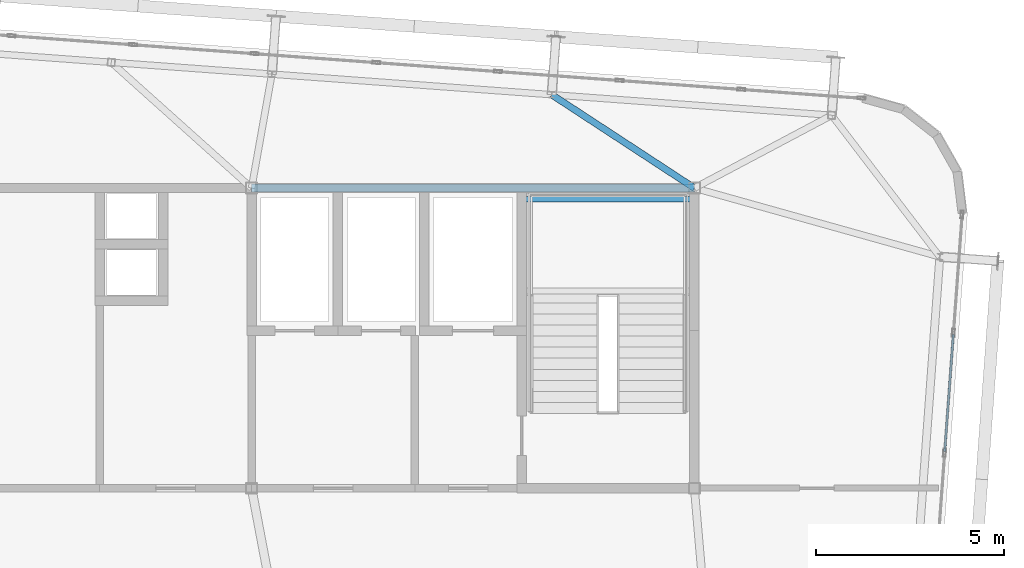
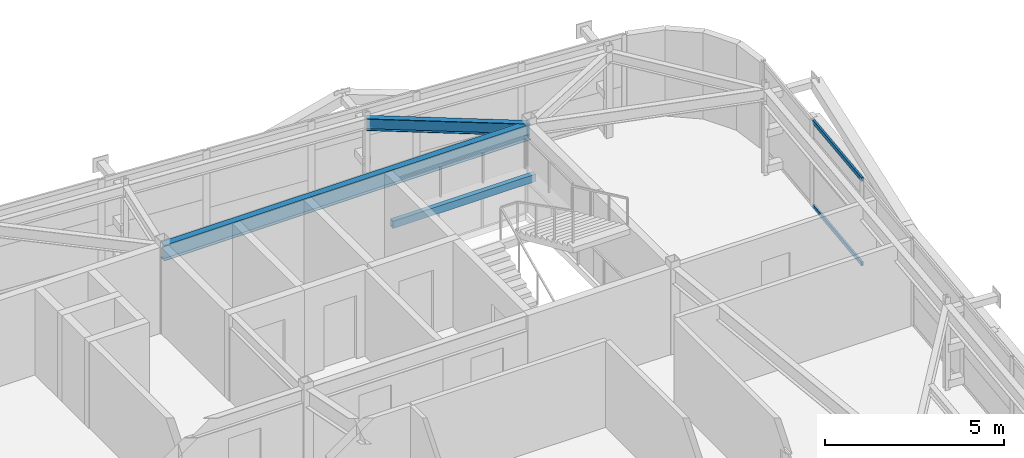
# One storey, part 24 of 42: 3 beams, 2 members, 1 element without a shape of its own.
"""IFC4 building model written with IfcOpenShell, lengths in metres."""

from ifc_helpers import new_model, si_unit, direction, frame, origin, origin_2d, place, context, subcontext, project, spatial, hollow_rectangle, i_section, extrude, source, transform, mapped, material, layer, layer_set, material_profile, profile_set, type_object, element, aggregate, save


model = new_model("IFC4")

# Units and contexts
model_context = context("Model", 3, precision=1e-05, world=origin(), true_north=direction((0.0, 1.0)))
body_context = subcontext(model_context, "Body", "Model", "MODEL_VIEW")
ifc_project = project(units=[si_unit("LENGTHUNIT", "METRE"), si_unit("AREAUNIT", "SQUARE_METRE"), si_unit("VOLUMEUNIT", "CUBIC_METRE"), si_unit("PLANEANGLEUNIT", "RADIAN"), si_unit("MASSUNIT", "GRAM", prefix="KILO")], contexts=[model_context])

# Site, building, storey
site_placement = place(None, origin())
site = spatial("IfcSite", under=ifc_project, at=site_placement, CompositionType="ELEMENT")
building_placement = place(site_placement, origin())
building = spatial("IfcBuilding", under=site, at=building_placement, Name="Taldren Reach Tower", CompositionType="ELEMENT")
storey_placement = place(building_placement, frame((0.0, 0.0, 220.85009765625)))
storey = spatial("IfcBuildingStorey", under=building, at=storey_placement, Name="L67", CompositionType="ELEMENT", Elevation=220.85009765625)

# Beams
ifc_material_1 = material(Name="Steel Gr 350 (350PLUS)", Category="steel")
ifc_material_profile_1 = material_profile(ifc_material_1, i_section(OverallWidth=0.208984375, OverallDepth=0.532958984375, WebThickness=0.01025390625, FlangeThickness=0.015625, at=origin_2d()), Name="530UB92.4")
ifc_profile_set_1 = profile_set([ifc_material_profile_1], Name="Steel Gr 350 (350PLUS)")
beam_type_1 = type_object("IfcBeamType", Name="BM-UB530A", PredefinedType="BEAM", material=ifc_profile_set_1)
shared_shape_1 = source(origin(), body_context, "Body", "SweptSolid", [
    extrude(i_section(OverallWidth=0.208984375, OverallDepth=0.532958984375, WebThickness=0.01025390625, FlangeThickness=0.015625, at=origin_2d()), origin(), (0.0, 0.0, 1.0), 11.800048828125),
])
beam_1_placement = place(storey_placement, frame((39.199951171875, 32.0, 2.663330078125), z_axis=(1.0, 0.0, 0.0), x_axis=(0.0, 1.0, 0.0)))
element("IfcBeam", 1, at=beam_1_placement, inside=storey, type_object=beam_type_1, Name="Core-spine girder L67-SP06", PredefinedType="BEAM", context=body_context, shape_type="MappedRepresentation", body=[
    mapped(shared_shape_1, transform((0.0, 0.0, 0.0), scale=1.0)),
])
ifc_material_profile_2 = material_profile(ifc_material_1, i_section(OverallWidth=0.177978515625, OverallDepth=0.406005859375, WebThickness=0.0078125, FlangeThickness=0.0126953125, at=origin_2d()), Name="410UB59.7")
ifc_profile_set_2 = profile_set([ifc_material_profile_2], Name="Steel Gr 350 (350PLUS)")
beam_type_2 = type_object("IfcBeamType", Name="BM-UB410", PredefinedType="BEAM", material=ifc_profile_set_2)
shared_shape_2 = source(origin(), body_context, "Body", "SweptSolid", [
    extrude(i_section(OverallWidth=0.177978515625, OverallDepth=0.406005859375, WebThickness=0.0078125, FlangeThickness=0.0126953125, at=origin_2d()), origin(), (0.0, 0.0, 1.0), 4.542236328125),
])
beam_2_placement = place(storey_placement, frame((51.0, 32.0, 2.726806640625), z_axis=(-0.836709129479, 0.547647544181, 0.0), x_axis=(-0.547647544181, -0.836709129479, 0.0)))
element("IfcBeam", 2, at=beam_2_placement, inside=storey, type_object=beam_type_2, Name="Primary floor girder B5-N5 L67", PredefinedType="BEAM", context=body_context, shape_type="MappedRepresentation", body=[
    mapped(shared_shape_2, transform((0.0, 0.0, 0.0), scale=1.0)),
])

# Curtain wall, members
ifc_material_2 = material(Name="Aluminium and Low-E Glass Unitised System", Category="aluminium")
ifc_layer = layer(ifc_material_2, 0.159912109375)
ifc_layer_set = layer_set([ifc_layer], Name="Aluminium and Low-E Glass Unitised System")
curtain_wall_type = type_object("IfcCurtainWallType", Name="CW-SYS-6", PredefinedType="NOTDEFINED", material=ifc_layer_set)
curtain_wall_placement = place(storey_placement, origin())
curtain_wall = element("IfcCurtainWall", 3, at=curtain_wall_placement, inside=storey, type_object=curtain_wall_type, Name="Unitised curtain wall CW-L67-E", PredefinedType="NOTDEFINED")
ifc_material_3 = material(Name="Anodised Aluminium 6063-T6", Category="aluminium")
ifc_material_profile_3 = material_profile(ifc_material_3, hollow_rectangle(XDim=0.06005859375, YDim=0.135009765625, WallThickness=0.00341796875, at=origin_2d()), Name="ALU-135x60x3.5RHS")
ifc_profile_set_3 = profile_set([ifc_material_profile_3], Name="Anodised Aluminium 6063-T6")
member_type = type_object("IfcMemberType", Name="CW-TRN-150", PredefinedType="USERDEFINED", material=ifc_profile_set_3)
shared_shape_3 = source(origin(), body_context, "Body", "SweptSolid", [
    extrude(hollow_rectangle(XDim=0.06005859375, YDim=0.135009765625, WallThickness=0.00341796875, at=origin_2d()), origin(), (0.0, 0.0, 1.0), 3.124755859375),
])
member_1_placement = place(storey_placement, frame((57.67138671875, 24.982666015625, 0.02978515625), z_axis=(0.073284589347, 0.997311069308, 0.0), x_axis=(-0.997311069308, 0.073284589347, 0.0)))
member_1 = element("IfcMember", 4, at=member_1_placement, type_object=member_type, Name="CW-6 transom 7.1", ObjectType="TRANSOM", PredefinedType="USERDEFINED", context=body_context, shape_type="MappedRepresentation", body=[
    mapped(shared_shape_3, transform((0.0, 0.0, 0.0), scale=1.0)),
])
member_2_placement = place(storey_placement, frame((57.67138671875, 24.982666015625, 2.89990234375), z_axis=(0.073284589347, 0.997311069308, 0.0), x_axis=(-0.997311069308, 0.073284589347, 0.0)))
member_2 = element("IfcMember", 5, at=member_2_placement, type_object=member_type, Name="CW-6 transom 7.2", ObjectType="TRANSOM", PredefinedType="USERDEFINED", context=body_context, shape_type="MappedRepresentation", body=[
    mapped(shared_shape_3, transform((0.0, 0.0, 0.0), scale=1.0)),
])
aggregate(curtain_wall, [member_1, member_2])

# Beam
ifc_material_4 = material(Name="Steel Gr 350 (C350L0)", Category="steel")
ifc_material_profile_4 = material_profile(ifc_material_4, hollow_rectangle(XDim=0.14990234375, YDim=0.25, WallThickness=0.009033203125, at=origin_2d()), Name="250x150x9.0RHS")
ifc_profile_set_4 = profile_set([ifc_material_profile_4], Name="Steel Gr 350 (C350L0)")
beam_type_3 = type_object("IfcBeamType", Name="LN-RHS250", PredefinedType="LINTEL", material=ifc_profile_set_4)
shared_shape_4 = source(origin(), body_context, "Body", "SweptSolid", [
    extrude(hollow_rectangle(XDim=0.14990234375, YDim=0.25, WallThickness=0.009033203125, at=origin_2d()), origin(), (0.0, 0.0, 1.0), 4.60009765625),
])
beam_3_placement = place(storey_placement, frame((46.39990234375, 31.699951171875, 1.27001953125), z_axis=(1.0, 0.0, 0.0), x_axis=(0.0, 1.0, 0.0)))
element("IfcBeam", 6, at=beam_3_placement, inside=storey, type_object=beam_type_3, Name="Stair half-landing support beam ST2-L67-2", PredefinedType="LINTEL", context=body_context, shape_type="MappedRepresentation", body=[
    mapped(shared_shape_4, transform((0.0, 0.0, 0.0), scale=1.0)),
])

save(model, "model.ifc")
